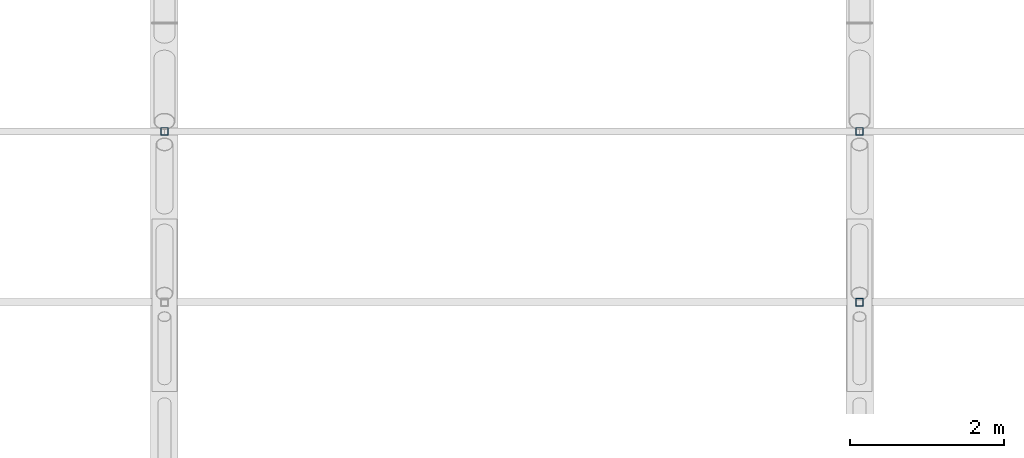
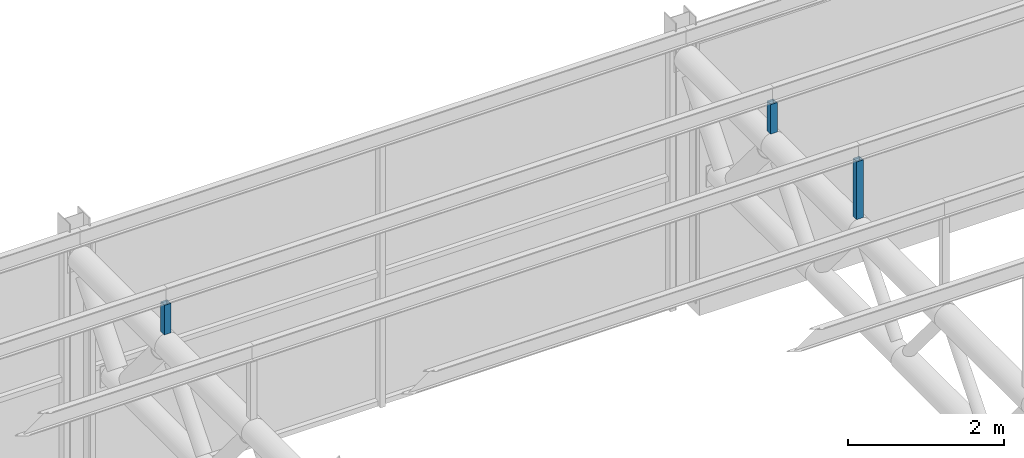
# One storey, part 93 of 138: 3 members.
"""IFC4 building model written with IfcOpenShell, lengths in metres."""

from ifc_helpers import new_model, si_unit, direction, frame, origin, origin_2d, place, context, subcontext, project, spatial, hollow_rectangle, extrude, material, material_profile, profile_set, type_object, element, save


model = new_model("IFC4")

# Units and contexts
model_context = context("Model", 3, precision=1e-05, world=origin(), true_north=direction((0.0, 1.0)))
body_context = subcontext(model_context, "Body", "Model", "MODEL_VIEW")
ifc_project = project(units=[si_unit("LENGTHUNIT", "METRE"), si_unit("AREAUNIT", "SQUARE_METRE"), si_unit("VOLUMEUNIT", "CUBIC_METRE"), si_unit("PLANEANGLEUNIT", "RADIAN"), si_unit("MASSUNIT", "GRAM", prefix="KILO")], contexts=[model_context])

# Site, building, storey
site_placement = place(None, origin())
site = spatial("IfcSite", under=ifc_project, at=site_placement, CompositionType="ELEMENT")
building_placement = place(site_placement, origin())
building = spatial("IfcBuilding", under=site, at=building_placement, Name="Corbel Yard City Hall", CompositionType="ELEMENT")
storey_placement = place(building_placement, frame((0.0, 0.0, 10.5)))
storey = spatial("IfcBuildingStorey", under=building, at=storey_placement, Name="L02", CompositionType="ELEMENT", Elevation=10.5)

# Members
ifc_material = material(Name="Steel Grade C450L0", Category="steel")
ifc_material_profile = material_profile(ifc_material, hollow_rectangle(XDim=0.10009765625, YDim=0.10009765625, WallThickness=0.006103515625, at=origin_2d()), Name="100x100x6.0SHS")
ifc_profile_set = profile_set([ifc_material_profile], Name="Steel Grade C450L0")
member_type = type_object("IfcMemberType", Name="Roof post 100x100x6.0SHS", PredefinedType="POST", material=ifc_profile_set)
member_1_placement = place(storey_placement, frame((81.0, 24.6357421875, 4.10009765625), z_axis=(0.0, 0.0, 1.0), x_axis=(1.0, 0.0, 0.0)))
element("IfcMember", 1, at=member_1_placement, inside=storey, type_object=member_type, Name="Roof post 100x100x6.0SHS RP3", PredefinedType="POST", context=body_context, shape_type="SweptSolid", body=[
    extrude(hollow_rectangle(XDim=0.10009765625, YDim=0.10009765625, WallThickness=0.006103515625, at=origin_2d()), origin(), (0.0, 0.0, 1.0), 0.4638671875),
])
member_2_placement = place(storey_placement, frame((90.0, 22.423828125, 4.10009765625), z_axis=(0.0, 0.0, 1.0), x_axis=(1.0, 0.0, 0.0)))
element("IfcMember", 2, at=member_2_placement, inside=storey, type_object=member_type, Name="Roof post 100x100x6.0SHS RP3", PredefinedType="POST", context=body_context, shape_type="SweptSolid", body=[
    extrude(hollow_rectangle(XDim=0.10009765625, YDim=0.10009765625, WallThickness=0.006103515625, at=origin_2d()), origin(), (0.0, 0.0, 1.0), 0.90625),
])
member_3_placement = place(storey_placement, frame((90.0, 24.6357421875, 4.10009765625), z_axis=(0.0, 0.0, 1.0), x_axis=(1.0, 0.0, 0.0)))
element("IfcMember", 3, at=member_3_placement, inside=storey, type_object=member_type, Name="Roof post 100x100x6.0SHS RP3", PredefinedType="POST", context=body_context, shape_type="SweptSolid", body=[
    extrude(hollow_rectangle(XDim=0.10009765625, YDim=0.10009765625, WallThickness=0.006103515625, at=origin_2d()), origin(), (0.0, 0.0, 1.0), 0.4638671875),
])

save(model, "model.ifc")
